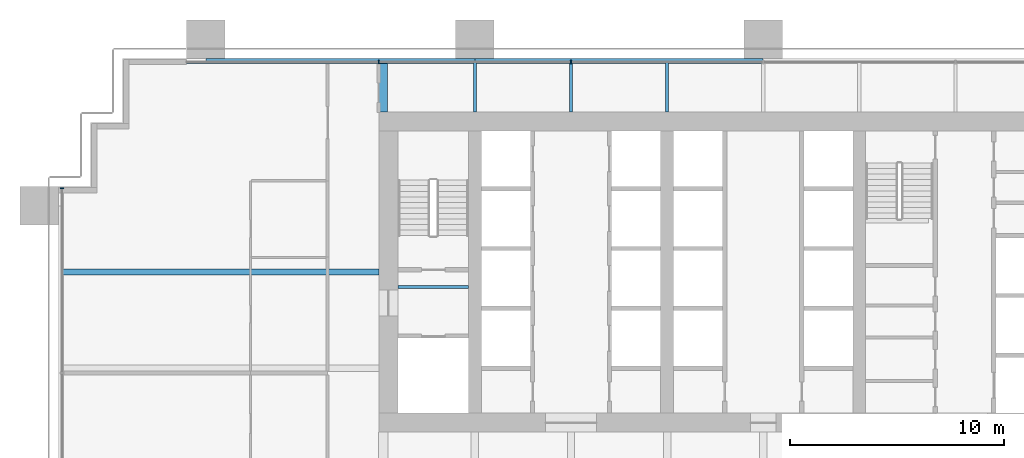
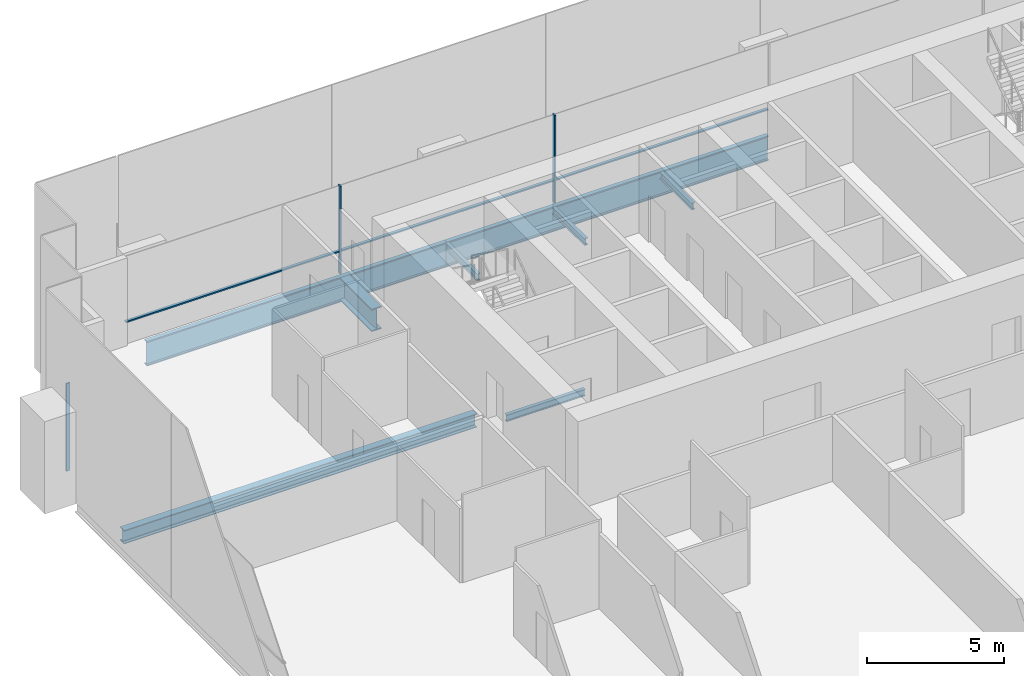
# One storey, part 7 of 18: 8 beams, 6 members, 2 elements without a shape of their own.
"""IFC4 building model written with IfcOpenShell, lengths in metres."""

from ifc_helpers import new_model, si_unit, direction, frame, origin, origin_2d, place, context, subcontext, project, spatial, rectangle, i_section, extrude, material, material_profile, profile_set, type_object, element, aggregate, save


model = new_model("IFC4")

# Units and contexts
model_context = context("Model", 3, precision=1e-05, world=origin(), true_north=direction((0.0, 1.0)))
body_context = subcontext(model_context, "Body", "Model", "MODEL_VIEW")
ifc_project = project(units=[si_unit("LENGTHUNIT", "METRE"), si_unit("AREAUNIT", "SQUARE_METRE"), si_unit("VOLUMEUNIT", "CUBIC_METRE"), si_unit("PLANEANGLEUNIT", "RADIAN"), si_unit("MASSUNIT", "GRAM", prefix="KILO")], contexts=[model_context])

# Site, building, storey
site_placement = place(None, origin())
site = spatial("IfcSite", under=ifc_project, at=site_placement, CompositionType="ELEMENT")
building_placement = place(site_placement, origin())
building = spatial("IfcBuilding", under=site, at=building_placement, Name="Rattan Terrace Tower", CompositionType="ELEMENT")
storey_placement = place(building_placement, frame((0.0, 0.0, 57.0)))
storey = spatial("IfcBuildingStorey", under=building, at=storey_placement, Name="L12", CompositionType="ELEMENT", Elevation=57.0)

# Curtain wall, members
ifc_material_1 = material(Name="Aluminium and glass", Category="aluminium")
curtain_wall_type = type_object("IfcCurtainWallType", Name="Facade Unitised Curtain Wall", PredefinedType="NOTDEFINED", material=ifc_material_1)
curtain_wall_1_placement = place(storey_placement, origin())
curtain_wall_1 = element("IfcCurtainWall", 1, at=curtain_wall_1_placement, inside=storey, type_object=curtain_wall_type, Name="Curtain wall L12-2", PredefinedType="NOTDEFINED")
ifc_material_2 = material(Name="Aluminium", Category="aluminium")
ifc_material_profile_1 = material_profile(ifc_material_2, rectangle(XDim=0.06005859375, YDim=0.159912109375, at=origin_2d()), Name="Aluminium 60x160")
ifc_profile_set_1 = profile_set([ifc_material_profile_1], Name="Aluminium")
member_type_1 = type_object("IfcMemberType", Name="Facade CW Mullion 60x160", PredefinedType="MULLION", material=ifc_profile_set_1)
member_1_placement = place(storey_placement, frame((-9.0, 9.830078125, 0.0), z_axis=(0.0, 0.0, 1.0), x_axis=(-1.0, 0.0, 0.0)))
member_1 = element("IfcMember", 2, at=member_1_placement, type_object=member_type_1, Name="Mullion cwl-L12-002.5", PredefinedType="MULLION", context=body_context, shape_type="SweptSolid", body=[
    extrude(rectangle(XDim=0.06005859375, YDim=0.159912109375, at=origin_2d()), origin(), (0.0, 0.0, 1.0), 3.89990234375),
])
member_2_placement = place(storey_placement, frame((-18.0, 9.830078125, 0.0), z_axis=(0.0, 0.0, 1.0), x_axis=(-1.0, 0.0, 0.0)))
member_2 = element("IfcMember", 3, at=member_2_placement, type_object=member_type_1, Name="Mullion cwl-L12-002.6", PredefinedType="MULLION", context=body_context, shape_type="SweptSolid", body=[
    extrude(rectangle(XDim=0.06005859375, YDim=0.159912109375, at=origin_2d()), origin(), (0.0, 0.0, 1.0), 3.89990234375),
])

# Curtain wall, member
curtain_wall_2_placement = place(storey_placement, origin())
curtain_wall_2 = element("IfcCurtainWall", 4, at=curtain_wall_2_placement, inside=storey, type_object=curtain_wall_type, Name="Curtain wall L12-3", PredefinedType="NOTDEFINED")
member_3_placement = place(storey_placement, frame((-32.830078125, 3.925048828125, 0.0), z_axis=(0.0, 0.0, 1.0), x_axis=(0.0, -1.0, 0.0)))
member_3 = element("IfcMember", 5, at=member_3_placement, type_object=member_type_1, Name="Mullion cwl-L12-003.1", PredefinedType="MULLION", context=body_context, shape_type="SweptSolid", body=[
    extrude(rectangle(XDim=0.06005859375, YDim=0.159912109375, at=origin_2d()), origin(), (0.0, 0.0, 1.0), 3.89990234375),
])
aggregate(curtain_wall_2, [member_3])

# Member
ifc_material_3 = material(Name="Aluminium", Category="aluminium")
ifc_material_profile_2 = material_profile(ifc_material_3, rectangle(XDim=0.1201171875, YDim=0.06005859375, at=origin_2d()), Name="Aluminium 120x60")
ifc_profile_set_2 = profile_set([ifc_material_profile_2], Name="Aluminium")
member_type_2 = type_object("IfcMemberType", Name="Facade CW Transom 120x60", PredefinedType="USERDEFINED", material=ifc_profile_set_2)
member_4_placement = place(storey_placement, frame((-0.030029296875, 9.830078125, 1.0), z_axis=(-1.0, 0.0, 0.0), x_axis=(0.0, -1.0, 0.0)))
member_4 = element("IfcMember", 6, at=member_4_placement, type_object=member_type_2, Name="Transom cwl-L12-002.4", ObjectType="TRANSOM", PredefinedType="USERDEFINED", context=body_context, shape_type="SweptSolid", body=[
    extrude(rectangle(XDim=0.1201171875, YDim=0.06005859375, at=origin_2d()), origin(), (0.0, 0.0, 1.0), 8.93994140625),
])

member_5_placement = place(storey_placement, frame((-9.030029296875, 9.830078125, 1.0), z_axis=(-1.0, 0.0, 0.0), x_axis=(0.0, -1.0, 0.0)))
member_5 = element("IfcMember", 7, at=member_5_placement, type_object=member_type_2, Name="Transom cwl-L12-002.5", ObjectType="TRANSOM", PredefinedType="USERDEFINED", context=body_context, shape_type="SweptSolid", body=[
    extrude(rectangle(XDim=0.1201171875, YDim=0.06005859375, at=origin_2d()), origin(), (0.0, 0.0, 1.0), 8.93994140625),
])

member_6_placement = place(storey_placement, frame((-18.030029296875, 9.830078125, 1.0), z_axis=(-1.0, 0.0, 0.0), x_axis=(0.0, -1.0, 0.0)))
member_6 = element("IfcMember", 8, at=member_6_placement, type_object=member_type_2, Name="Transom cwl-L12-002.6", ObjectType="TRANSOM", PredefinedType="USERDEFINED", context=body_context, shape_type="SweptSolid", body=[
    extrude(rectangle(XDim=0.1201171875, YDim=0.06005859375, at=origin_2d()), origin(), (0.0, 0.0, 1.0), 8.969970703125),
])

aggregate(curtain_wall_1, [member_1, member_2, member_4, member_5, member_6])

# Beams
ifc_material_4 = material(Name="Steel S460", Category="steel")
ifc_material_profile_3 = material_profile(ifc_material_4, i_section(OverallWidth=0.39990234375, OverallDepth=1.0, WebThickness=0.01806640625, FlangeThickness=0.044921875, at=origin_2d()), Name="PG 1000x400-18-45")
ifc_profile_set_3 = profile_set([ifc_material_profile_3], Name="Steel S460")
beam_type_1 = type_object("IfcBeamType", Name="Frame core girder PG 1000x400-18-45", PredefinedType="BEAM", material=ifc_profile_set_3)
beam_1_placement = place(storey_placement, frame((-17.800048828125, 7.5, -0.699951171875), z_axis=(0.0, 1.0, 0.0), x_axis=(-1.0, 0.0, 0.0)))
element("IfcBeam", 9, at=beam_1_placement, inside=storey, type_object=beam_type_1, Name="gdr-L12-015", PredefinedType="BEAM", context=body_context, shape_type="SweptSolid", body=[
    extrude(i_section(OverallWidth=0.39990234375, OverallDepth=1.0, WebThickness=0.01806640625, FlangeThickness=0.044921875, at=origin_2d()), origin(), (0.0, 0.0, 1.0), 2.320068359375),
])
ifc_material_5 = material(Name="Steel S460", Category="steel")
ifc_material_profile_4 = material_profile(ifc_material_5, i_section(OverallWidth=0.179931640625, OverallDepth=1.10009765625, WebThickness=0.01611328125, FlangeThickness=0.050048828125, at=origin_2d()), Name="PG 1100x180-16-50")
ifc_profile_set_4 = profile_set([ifc_material_profile_4], Name="Steel S460")
beam_type_2 = type_object("IfcBeamType", Name="Frame edge girder PG 1100x180-16-50", PredefinedType="SPANDREL", material=ifc_profile_set_4)
beam_2_placement = place(storey_placement, frame((-13.5, 9.909912109375, -0.75), z_axis=(-1.0, 0.0, 0.0), x_axis=(0.0, -1.0, 0.0)))
element("IfcBeam", 10, at=beam_2_placement, inside=storey, type_object=beam_type_2, Name="gdr-L12-009", PredefinedType="SPANDREL", context=body_context, shape_type="SweptSolid", body=[
    extrude(i_section(OverallWidth=0.179931640625, OverallDepth=1.10009765625, WebThickness=0.01611328125, FlangeThickness=0.050048828125, at=origin_2d()), origin(), (0.0, 0.0, 1.0), 12.60009765625),
])
beam_3_placement = place(storey_placement, frame((0.0, 9.909912109375, -0.75), z_axis=(-1.0, 0.0, 0.0), x_axis=(0.0, -1.0, 0.0)))
element("IfcBeam", 11, at=beam_3_placement, inside=storey, type_object=beam_type_2, Name="gdr-L12-010", PredefinedType="SPANDREL", context=body_context, shape_type="SweptSolid", body=[
    extrude(i_section(OverallWidth=0.179931640625, OverallDepth=1.10009765625, WebThickness=0.01611328125, FlangeThickness=0.050048828125, at=origin_2d()), origin(), (0.0, 0.0, 1.0), 13.5),
])
ifc_material_6 = material(Name="Steel S355", Category="steel")
ifc_material_profile_5 = material_profile(ifc_material_6, i_section(OverallWidth=0.300048828125, OverallDepth=0.60009765625, WebThickness=0.015380859375, FlangeThickness=0.030029296875, FilletRadius=0.027099609375, at=origin_2d()), Name="HE 600 B")
ifc_profile_set_5 = profile_set([ifc_material_profile_5], Name="Steel S355")
beam_type_3 = type_object("IfcBeamType", Name="Frame floor beam HE 600 B", PredefinedType="JOIST", material=ifc_profile_set_5)
beam_4_placement = place(storey_placement, frame((-32.820068359375, 0.0, -0.5), z_axis=(1.0, 0.0, 0.0), x_axis=(0.0, 1.0, 0.0)))
element("IfcBeam", 12, at=beam_4_placement, inside=storey, type_object=beam_type_3, Name="bm-L12-022", PredefinedType="JOIST", context=body_context, shape_type="SweptSolid", body=[
    extrude(i_section(OverallWidth=0.300048828125, OverallDepth=0.60009765625, WebThickness=0.015380859375, FlangeThickness=0.030029296875, FilletRadius=0.027099609375, at=origin_2d()), origin(), (0.0, 0.0, 1.0), 14.820068359375),
])
ifc_material_7 = material(Name="Steel S355", Category="steel")
ifc_material_profile_6 = material_profile(ifc_material_7, i_section(OverallWidth=0.14990234375, OverallDepth=0.300048828125, WebThickness=0.007080078125, FlangeThickness=0.0107421875, FilletRadius=0.014892578125, at=origin_2d()), Name="IPE 300")
ifc_profile_set_6 = profile_set([ifc_material_profile_6], Name="Steel S355")
beam_type_4 = type_object("IfcBeamType", Name="Frame floor beam IPE 300", PredefinedType="JOIST", material=ifc_profile_set_6)
beam_5_placement = place(storey_placement, frame((-17.10009765625, -0.695068359375, -0.35009765625), z_axis=(1.0, 0.0, 0.0), x_axis=(0.0, 1.0, 0.0)))
element("IfcBeam", 13, at=beam_5_placement, inside=storey, type_object=beam_type_4, Name="bm-L12-001", PredefinedType="JOIST", context=body_context, shape_type="SweptSolid", body=[
    extrude(i_section(OverallWidth=0.14990234375, OverallDepth=0.300048828125, WebThickness=0.007080078125, FlangeThickness=0.0107421875, FilletRadius=0.014892578125, at=origin_2d()), origin(), (0.0, 0.0, 1.0), 3.300048828125),
])
for number, where, z_axis, x_axis, name in (
    (14, (-13.5, 7.5, -0.35009765625), (0.0, 1.0, 0.0), (-1.0, 0.0, 0.0), "bm-L12-024"),
    (15, (-9.0, 7.5, -0.35009765625), (0.0, 1.0, 0.0), (-1.0, 0.0, 0.0), "bm-L12-025"),
    (16, (-4.5, 7.5, -0.35009765625), (0.0, 1.0, 0.0), (-1.0, 0.0, 0.0), "bm-L12-026"),
):
    element("IfcBeam", number, at=place(storey_placement, frame(where, z_axis=z_axis, x_axis=x_axis)), inside=storey, type_object=beam_type_4, Name=name, PredefinedType="JOIST", context=body_context, shape_type="SweptSolid", body=[
        extrude(i_section(OverallWidth=0.14990234375, OverallDepth=0.300048828125, WebThickness=0.007080078125, FlangeThickness=0.0107421875, FilletRadius=0.014892578125, at=origin_2d()), origin(), (0.0, 0.0, 1.0), 2.320068359375),
    ])

save(model, "model.ifc")
